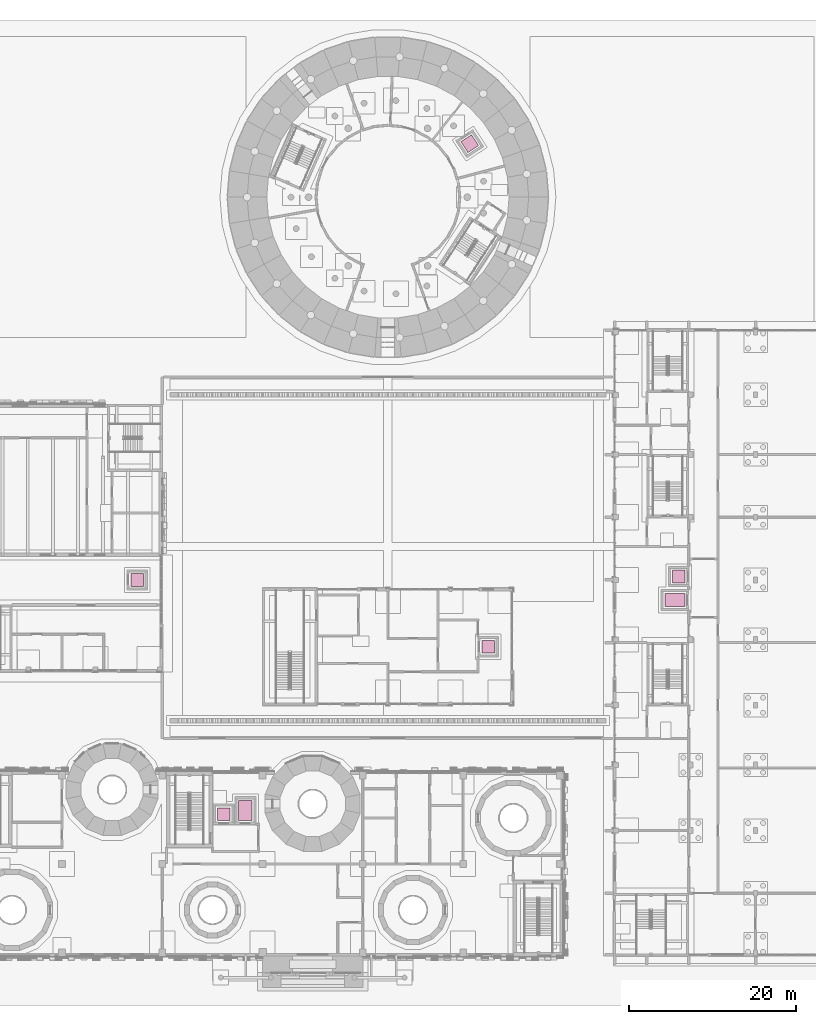
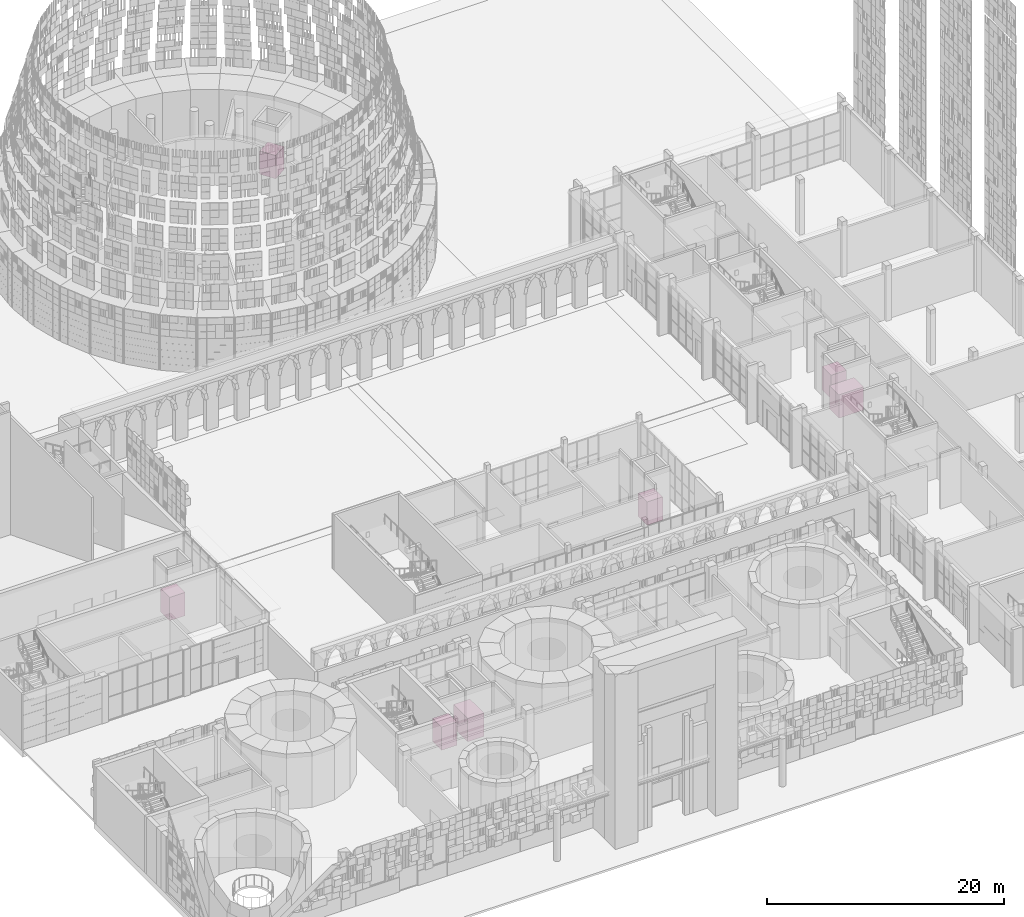
# One storey, part 125 of 125: 7 transport elements.
"""IFC4 building model written with IfcOpenShell, lengths in metres."""

from ifc_helpers import new_model, si_unit, direction, frame, origin, origin_2d, place, context, subcontext, project, spatial, rectangle, extrude, material, type_object, element, save


model = new_model("IFC4")

# Units and contexts
model_context = context("Model", 3, precision=1e-05, world=origin(), true_north=direction((0.0, 1.0)))
body_context = subcontext(model_context, "Body", "Model", "MODEL_VIEW")
ifc_project = project(units=[si_unit("LENGTHUNIT", "METRE"), si_unit("AREAUNIT", "SQUARE_METRE"), si_unit("VOLUMEUNIT", "CUBIC_METRE"), si_unit("PLANEANGLEUNIT", "RADIAN"), si_unit("MASSUNIT", "GRAM", prefix="KILO")], contexts=[model_context])

# Site, building, storey
site_placement = place(None, origin())
site = spatial("IfcSite", under=ifc_project, at=site_placement, CompositionType="ELEMENT")
building_placement = place(site_placement, origin())
building = spatial("IfcBuilding", under=site, at=building_placement, Name="Sun Court Science Centre", CompositionType="ELEMENT")
storey_placement = place(building_placement, origin())
storey = spatial("IfcBuildingStorey", under=building, at=storey_placement, Name="L00", CompositionType="ELEMENT", Elevation=0.0)

# Transport elements
ifc_material_1 = material(Name="Stainless steel", Category="steel")
transport_element_type_1 = type_object("IfcTransportElementType", Name="Lift passenger 1525x1525", PredefinedType="ELEVATOR", material=ifc_material_1)
for number, where, z_axis, x_axis, name in (
    (1, (31.360107421875, 22.9599609375, 0.0), (0.0, 0.0, 1.0), (1.0, 0.0, 0.0), "Box Passenger Lift"),
    (2, (85.7900390625, 51.39990234375, 0.0), (0.0, 0.0, 1.0), (1.0, 0.0, 0.0), "Laboratory Passenger Lift"),
    (3, (21.0, 51.0, 0.0), (0.0, 0.0, 1.0), (1.0, 0.0, 0.0), "Theatre Lift"),
    (4, (63.0, 43.0, 0.0), (0.0, 0.0, 1.0), (1.0, 0.0, 0.0), "Pavilion Lift"),
    (5, (60.794921875, 103.19921875, 0.0), (0.0, 0.0, 1.0), (0.837166478261, 0.546948158125, 0.0), "Planetarium Lift"),
):
    element("IfcTransportElement", number, at=place(storey_placement, frame(where, z_axis=z_axis, x_axis=x_axis)), inside=storey, type_object=transport_element_type_1, Name=name, PredefinedType="ELEVATOR", context=body_context, shape_type="SweptSolid", body=[
        extrude(rectangle(XDim=1.52490234375, YDim=1.52490234375, at=origin_2d()), origin(), (0.0, 0.0, 1.0), 2.39990234375),
    ])
ifc_material_2 = material(Name="Stainless steel", Category="steel")
transport_element_type_2 = type_object("IfcTransportElementType", Name="Lift stretcher 1600x2400", PredefinedType="ELEVATOR", material=ifc_material_2)
transport_element_1_placement = place(storey_placement, frame((33.949951171875, 23.39990234375, 0.0), z_axis=(0.0, 0.0, 1.0), x_axis=(1.0, 0.0, 0.0)))
element("IfcTransportElement", 6, at=transport_element_1_placement, inside=storey, type_object=transport_element_type_2, Name="Box Exhibit Goods Lift", PredefinedType="ELEVATOR", context=body_context, shape_type="SweptSolid", body=[
    extrude(rectangle(XDim=1.60009765625, YDim=2.39990234375, at=origin_2d()), origin(), (0.0, 0.0, 1.0), 2.39990234375),
])
transport_element_2_placement = place(storey_placement, frame((85.35009765625, 48.60009765625, 0.0), z_axis=(0.0, 0.0, 1.0), x_axis=(1.0, 0.0, 0.0)))
element("IfcTransportElement", 7, at=transport_element_2_placement, inside=storey, type_object=transport_element_type_2, Name="Laboratory Stretcher Lift", PredefinedType="ELEVATOR", context=body_context, shape_type="SweptSolid", body=[
    extrude(rectangle(XDim=2.39990234375, YDim=1.60009765625, at=origin_2d()), origin(), (0.0, 0.0, 1.0), 2.39990234375),
])

save(model, "model.ifc")
